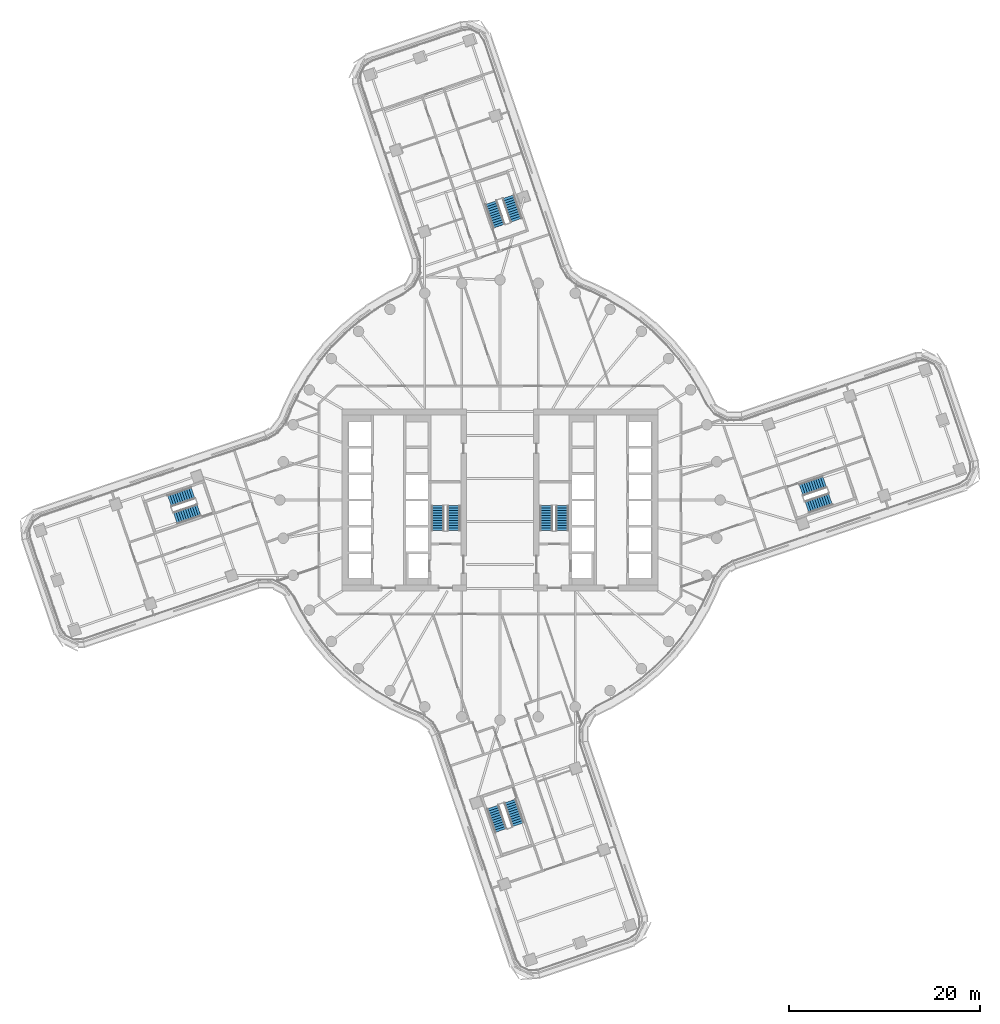
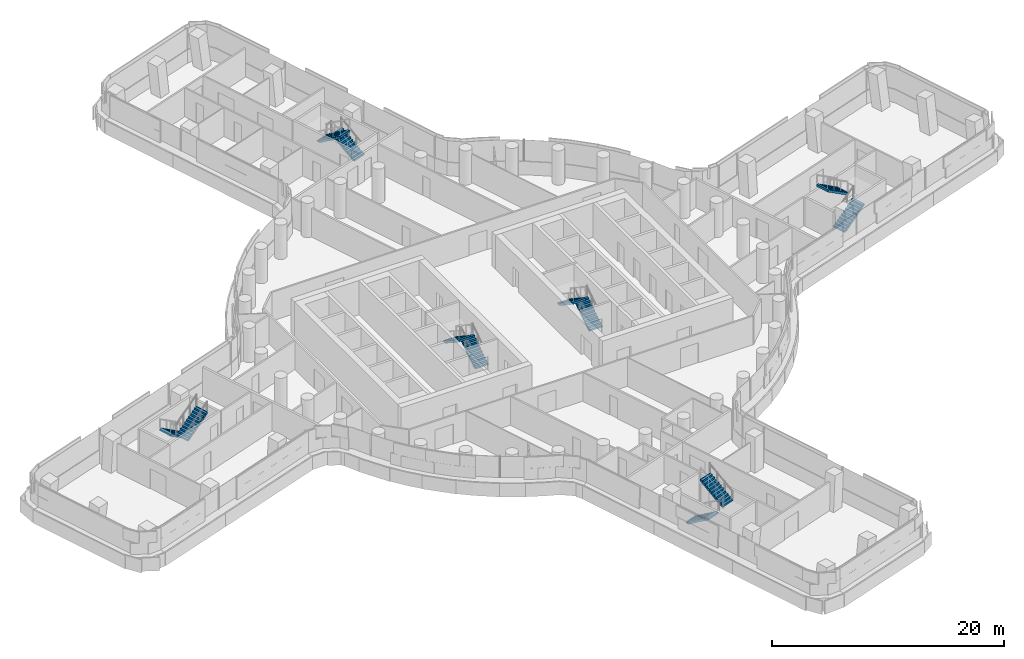
# One storey, part 22 of 29: 12 stair flights, 6 elements without a shape of their own.
"""IFC4 building model written with IfcOpenShell, lengths in metres."""

from ifc_helpers import new_model, si_unit, direction, frame, origin, place, context, subcontext, project, spatial, polyline, outline, extrude, material, type_object, element, aggregate, save


model = new_model("IFC4")

# Units and contexts
model_context = context("Model", 3, precision=1e-05, world=origin(), true_north=direction((0.0, 1.0)))
body_context = subcontext(model_context, "Body", "Model", "MODEL_VIEW")
ifc_project = project(units=[si_unit("LENGTHUNIT", "METRE"), si_unit("AREAUNIT", "SQUARE_METRE"), si_unit("VOLUMEUNIT", "CUBIC_METRE"), si_unit("PLANEANGLEUNIT", "RADIAN"), si_unit("MASSUNIT", "GRAM", prefix="KILO")], contexts=[model_context])

# Site, building, storey
site_placement = place(None, origin())
site = spatial("IfcSite", under=ifc_project, at=site_placement, CompositionType="ELEMENT")
building_placement = place(site_placement, origin())
building = spatial("IfcBuilding", under=site, at=building_placement, Name="Tamarind Cross Interchange Tower", CompositionType="ELEMENT")
storey_placement = place(building_placement, frame((0.0, 0.0, 102.25)))
storey = spatial("IfcBuildingStorey", under=building, at=storey_placement, Name="L24", CompositionType="ELEMENT", Elevation=102.25)

# Stair, stair flights
ifc_material_1 = material(Name="Exit stair")
stair_type = type_object("IfcStairType", Name="Exit stair", PredefinedType="HALF_TURN_STAIR", material=ifc_material_1)
stair_1_placement = place(storey_placement, origin())
stair_1 = element("IfcStair", 1, at=stair_1_placement, inside=storey, type_object=stair_type, Name="L24 exit stair ST1", PredefinedType="HALF_TURN_STAIR")
ifc_material_2 = material(Name="Exit stair flight")
stair_flight_type = type_object("IfcStairFlightType", Name="Exit stair flight", PredefinedType="STRAIGHT", material=ifc_material_2)
stair_flight_1_placement = place(storey_placement, frame((-4.85009765625, -3.199951171875, 0.0), z_axis=(0.0, 0.0, 1.0), x_axis=(0.0, 1.0, 0.0)))
stair_flight_1 = element("IfcStairFlight", 2, at=stair_flight_1_placement, type_object=stair_flight_type, Name="ST1 flight 1", NumberOfRisers=11, NumberOfTreads=10, PredefinedType="STRAIGHT", RiserHeight=0.170454545, TreadLength=0.26, context=body_context, shape_type="SweptSolid", body=[
    extrude(outline(polyline([(0.0, 0.0), (0.0, 0.17041015625), (0.260009765625, 0.17041015625), (0.260009765625, 0.3408203125), (0.52001953125, 0.3408203125), (0.52001953125, 0.511474609375), (0.780029296875, 0.511474609375), (0.780029296875, 0.681884765625), (1.0400390625, 0.681884765625), (1.0400390625, 0.852294921875), (1.300048828125, 0.852294921875), (1.300048828125, 1.022705078125), (1.56005859375, 1.022705078125), (1.56005859375, 1.193115234375), (1.820068359375, 1.193115234375), (1.820068359375, 1.363525390625), (2.080078125, 1.363525390625), (2.080078125, 1.5341796875), (2.340087890625, 1.5341796875), (2.340087890625, 1.70458984375), (2.60009765625, 1.70458984375), (2.60009765625, 1.875), (2.60009765625, 1.525390625), (0.2734375, 0.0), (0.0, 0.0)])), frame((0.0, 0.64990234375, 0.0), z_axis=(0.0, -1.0, 0.0), x_axis=(1.0, 0.0, 0.0)), (0.0, 0.0, 1.0), 1.300048828125),
])
stair_flight_2_placement = place(storey_placement, frame((-6.5, -0.60009765625, 1.875), z_axis=(0.0, 0.0, 1.0), x_axis=(0.0, -1.0, 0.0)))
stair_flight_2 = element("IfcStairFlight", 3, at=stair_flight_2_placement, type_object=stair_flight_type, Name="ST1 flight 2", NumberOfRisers=11, NumberOfTreads=10, PredefinedType="STRAIGHT", RiserHeight=0.170454545, TreadLength=0.26, context=body_context, shape_type="SweptSolid", body=[
    extrude(outline(polyline([(0.0, 0.0), (0.0, 0.17041015625), (0.260009765625, 0.17041015625), (0.260009765625, 0.3408203125), (0.52001953125, 0.3408203125), (0.52001953125, 0.511474609375), (0.780029296875, 0.511474609375), (0.780029296875, 0.681884765625), (1.0400390625, 0.681884765625), (1.0400390625, 0.852294921875), (1.300048828125, 0.852294921875), (1.300048828125, 1.022705078125), (1.56005859375, 1.022705078125), (1.56005859375, 1.193115234375), (1.820068359375, 1.193115234375), (1.820068359375, 1.363525390625), (2.080078125, 1.363525390625), (2.080078125, 1.5341796875), (2.340087890625, 1.5341796875), (2.340087890625, 1.70458984375), (2.60009765625, 1.70458984375), (2.60009765625, 1.7548828125), (2.612060546875, 1.7548828125), (2.612060546875, 1.533203125), (0.2734375, 0.0), (0.0, 0.0)])), frame((0.0, 0.64990234375, 0.0), z_axis=(0.0, -1.0, 0.0), x_axis=(1.0, 0.0, 0.0)), (0.0, 0.0, 1.0), 1.300048828125),
])
aggregate(stair_1, [stair_flight_1, stair_flight_2])

stair_2_placement = place(storey_placement, origin())
stair_2 = element("IfcStair", 4, at=stair_2_placement, inside=storey, type_object=stair_type, Name="L24 exit stair ST2", PredefinedType="HALF_TURN_STAIR")
stair_flight_3_placement = place(storey_placement, frame((6.5, -3.199951171875, 0.0), z_axis=(0.0, 0.0, 1.0), x_axis=(0.0, 1.0, 0.0)))
stair_flight_3 = element("IfcStairFlight", 5, at=stair_flight_3_placement, type_object=stair_flight_type, Name="ST2 flight 1", NumberOfRisers=11, NumberOfTreads=10, PredefinedType="STRAIGHT", RiserHeight=0.170454545, TreadLength=0.26, context=body_context, shape_type="SweptSolid", body=[
    extrude(outline(polyline([(0.0, 0.0), (0.0, 0.17041015625), (0.260009765625, 0.17041015625), (0.260009765625, 0.3408203125), (0.52001953125, 0.3408203125), (0.52001953125, 0.511474609375), (0.780029296875, 0.511474609375), (0.780029296875, 0.681884765625), (1.0400390625, 0.681884765625), (1.0400390625, 0.852294921875), (1.300048828125, 0.852294921875), (1.300048828125, 1.022705078125), (1.56005859375, 1.022705078125), (1.56005859375, 1.193115234375), (1.820068359375, 1.193115234375), (1.820068359375, 1.363525390625), (2.080078125, 1.363525390625), (2.080078125, 1.5341796875), (2.340087890625, 1.5341796875), (2.340087890625, 1.70458984375), (2.60009765625, 1.70458984375), (2.60009765625, 1.875), (2.60009765625, 1.525390625), (0.2734375, 0.0), (0.0, 0.0)])), frame((0.0, 0.64990234375, 0.0), z_axis=(0.0, -1.0, 0.0), x_axis=(1.0, 0.0, 0.0)), (0.0, 0.0, 1.0), 1.300048828125),
])
stair_flight_4_placement = place(storey_placement, frame((4.85009765625, -0.60009765625, 1.875), z_axis=(0.0, 0.0, 1.0), x_axis=(0.0, -1.0, 0.0)))
stair_flight_4 = element("IfcStairFlight", 6, at=stair_flight_4_placement, type_object=stair_flight_type, Name="ST2 flight 2", NumberOfRisers=11, NumberOfTreads=10, PredefinedType="STRAIGHT", RiserHeight=0.170454545, TreadLength=0.26, context=body_context, shape_type="SweptSolid", body=[
    extrude(outline(polyline([(0.0, 0.0), (0.0, 0.17041015625), (0.260009765625, 0.17041015625), (0.260009765625, 0.3408203125), (0.52001953125, 0.3408203125), (0.52001953125, 0.511474609375), (0.780029296875, 0.511474609375), (0.780029296875, 0.681884765625), (1.0400390625, 0.681884765625), (1.0400390625, 0.852294921875), (1.300048828125, 0.852294921875), (1.300048828125, 1.022705078125), (1.56005859375, 1.022705078125), (1.56005859375, 1.193115234375), (1.820068359375, 1.193115234375), (1.820068359375, 1.363525390625), (2.080078125, 1.363525390625), (2.080078125, 1.5341796875), (2.340087890625, 1.5341796875), (2.340087890625, 1.70458984375), (2.60009765625, 1.70458984375), (2.60009765625, 1.7548828125), (2.612060546875, 1.7548828125), (2.612060546875, 1.533203125), (0.2734375, 0.0), (0.0, 0.0)])), frame((0.0, 0.64990234375, 0.0), z_axis=(0.0, -1.0, 0.0), x_axis=(1.0, 0.0, 0.0)), (0.0, 0.0, 1.0), 1.300048828125),
])
aggregate(stair_2, [stair_flight_3, stair_flight_4])

stair_3_placement = place(storey_placement, origin())
stair_3 = element("IfcStair", 7, at=stair_3_placement, inside=storey, type_object=stair_type, Name="L24 exit stair ST3", PredefinedType="HALF_TURN_STAIR")
stair_flight_5_placement = place(storey_placement, frame((32.076904296875, -0.740966796875, 0.0), z_axis=(0.0, 0.0, 1.0), x_axis=(0.946613256786, 0.322371434957, 0.0)))
stair_flight_5 = element("IfcStairFlight", 8, at=stair_flight_5_placement, type_object=stair_flight_type, Name="ST3 flight 1", NumberOfRisers=11, NumberOfTreads=10, PredefinedType="STRAIGHT", RiserHeight=0.170454545, TreadLength=0.26, context=body_context, shape_type="SweptSolid", body=[
    extrude(outline(polyline([(0.0, 0.0), (0.0, 0.17041015625), (0.260009765625, 0.17041015625), (0.260009765625, 0.3408203125), (0.52001953125, 0.3408203125), (0.52001953125, 0.511474609375), (0.780029296875, 0.511474609375), (0.780029296875, 0.681884765625), (1.0400390625, 0.681884765625), (1.0400390625, 0.852294921875), (1.300048828125, 0.852294921875), (1.300048828125, 1.022705078125), (1.56005859375, 1.022705078125), (1.56005859375, 1.193115234375), (1.820068359375, 1.193115234375), (1.820068359375, 1.363525390625), (2.080078125, 1.363525390625), (2.080078125, 1.5341796875), (2.340087890625, 1.5341796875), (2.340087890625, 1.70458984375), (2.60009765625, 1.70458984375), (2.60009765625, 1.875), (2.60009765625, 1.525390625), (0.2734375, 0.0), (0.0, 0.0)])), frame((0.0, 0.64990234375, 0.0), z_axis=(0.0, -1.0, 0.0), x_axis=(1.0, 0.0, 0.0)), (0.0, 0.0, 1.0), 1.300048828125),
])
stair_flight_6_placement = place(storey_placement, frame((33.925537109375, 1.895751953125, 1.875), z_axis=(0.0, 0.0, 1.0), x_axis=(-0.946613256786, -0.322371434957, 0.0)))
stair_flight_6 = element("IfcStairFlight", 9, at=stair_flight_6_placement, type_object=stair_flight_type, Name="ST3 flight 2", NumberOfRisers=11, NumberOfTreads=10, PredefinedType="STRAIGHT", RiserHeight=0.170454545, TreadLength=0.26, context=body_context, shape_type="SweptSolid", body=[
    extrude(outline(polyline([(0.0, 0.0), (0.0, 0.17041015625), (0.260009765625, 0.17041015625), (0.260009765625, 0.3408203125), (0.52001953125, 0.3408203125), (0.52001953125, 0.511474609375), (0.780029296875, 0.511474609375), (0.780029296875, 0.681884765625), (1.0400390625, 0.681884765625), (1.0400390625, 0.852294921875), (1.300048828125, 0.852294921875), (1.300048828125, 1.022705078125), (1.56005859375, 1.022705078125), (1.56005859375, 1.193115234375), (1.820068359375, 1.193115234375), (1.820068359375, 1.363525390625), (2.080078125, 1.363525390625), (2.080078125, 1.5341796875), (2.340087890625, 1.5341796875), (2.340087890625, 1.70458984375), (2.60009765625, 1.70458984375), (2.60009765625, 1.7548828125), (2.612060546875, 1.7548828125), (2.612060546875, 1.533203125), (0.2734375, 0.0), (0.0, 0.0)])), frame((0.0, 0.64990234375, 0.0), z_axis=(0.0, -1.0, 0.0), x_axis=(1.0, 0.0, 0.0)), (0.0, 0.0, 1.0), 1.300048828125),
])
aggregate(stair_3, [stair_flight_5, stair_flight_6])

stair_4_placement = place(storey_placement, origin())
stair_4 = element("IfcStair", 10, at=stair_4_placement, inside=storey, type_object=stair_type, Name="L24 exit stair ST4", PredefinedType="HALF_TURN_STAIR")
stair_flight_7_placement = place(storey_placement, frame((1.708251953125, 29.237060546875, 0.0), z_axis=(0.0, 0.0, 1.0), x_axis=(-0.322371434957, 0.946613256786, 0.0)))
stair_flight_7 = element("IfcStairFlight", 11, at=stair_flight_7_placement, type_object=stair_flight_type, Name="ST4 flight 1", NumberOfRisers=11, NumberOfTreads=10, PredefinedType="STRAIGHT", RiserHeight=0.170454545, TreadLength=0.26, context=body_context, shape_type="SweptSolid", body=[
    extrude(outline(polyline([(0.0, 0.0), (0.0, 0.17041015625), (0.260009765625, 0.17041015625), (0.260009765625, 0.3408203125), (0.52001953125, 0.3408203125), (0.52001953125, 0.511474609375), (0.780029296875, 0.511474609375), (0.780029296875, 0.681884765625), (1.0400390625, 0.681884765625), (1.0400390625, 0.852294921875), (1.300048828125, 0.852294921875), (1.300048828125, 1.022705078125), (1.56005859375, 1.022705078125), (1.56005859375, 1.193115234375), (1.820068359375, 1.193115234375), (1.820068359375, 1.363525390625), (2.080078125, 1.363525390625), (2.080078125, 1.5341796875), (2.340087890625, 1.5341796875), (2.340087890625, 1.70458984375), (2.60009765625, 1.70458984375), (2.60009765625, 1.875), (2.60009765625, 1.525390625), (0.2734375, 0.0), (0.0, 0.0)])), frame((0.0, 0.64990234375, 0.0), z_axis=(0.0, -1.0, 0.0), x_axis=(1.0, 0.0, 0.0)), (0.0, 0.0, 1.0), 1.300048828125),
])
stair_flight_8_placement = place(storey_placement, frame((-0.928466796875, 31.085693359375, 1.875), z_axis=(0.0, 0.0, 1.0), x_axis=(0.322371434957, -0.946613256786, 0.0)))
stair_flight_8 = element("IfcStairFlight", 12, at=stair_flight_8_placement, type_object=stair_flight_type, Name="ST4 flight 2", NumberOfRisers=11, NumberOfTreads=10, PredefinedType="STRAIGHT", RiserHeight=0.170454545, TreadLength=0.26, context=body_context, shape_type="SweptSolid", body=[
    extrude(outline(polyline([(0.0, 0.0), (0.0, 0.17041015625), (0.260009765625, 0.17041015625), (0.260009765625, 0.3408203125), (0.52001953125, 0.3408203125), (0.52001953125, 0.511474609375), (0.780029296875, 0.511474609375), (0.780029296875, 0.681884765625), (1.0400390625, 0.681884765625), (1.0400390625, 0.852294921875), (1.300048828125, 0.852294921875), (1.300048828125, 1.022705078125), (1.56005859375, 1.022705078125), (1.56005859375, 1.193115234375), (1.820068359375, 1.193115234375), (1.820068359375, 1.363525390625), (2.080078125, 1.363525390625), (2.080078125, 1.5341796875), (2.340087890625, 1.5341796875), (2.340087890625, 1.70458984375), (2.60009765625, 1.70458984375), (2.60009765625, 1.7548828125), (2.612060546875, 1.7548828125), (2.612060546875, 1.533203125), (0.2734375, 0.0), (0.0, 0.0)])), frame((0.0, 0.64990234375, 0.0), z_axis=(0.0, -1.0, 0.0), x_axis=(1.0, 0.0, 0.0)), (0.0, 0.0, 1.0), 1.300048828125),
])
aggregate(stair_4, [stair_flight_7, stair_flight_8])

stair_5_placement = place(storey_placement, origin())
stair_5 = element("IfcStair", 13, at=stair_5_placement, inside=storey, type_object=stair_type, Name="L24 exit stair ST5", PredefinedType="HALF_TURN_STAIR")
stair_flight_9_placement = place(storey_placement, frame((-32.076904296875, 0.740966796875, 0.0), z_axis=(0.0, 0.0, 1.0), x_axis=(-0.946613256786, -0.322371434957, 0.0)))
stair_flight_9 = element("IfcStairFlight", 14, at=stair_flight_9_placement, type_object=stair_flight_type, Name="ST5 flight 1", NumberOfRisers=11, NumberOfTreads=10, PredefinedType="STRAIGHT", RiserHeight=0.170454545, TreadLength=0.26, context=body_context, shape_type="SweptSolid", body=[
    extrude(outline(polyline([(0.0, 0.0), (0.0, 0.17041015625), (0.260009765625, 0.17041015625), (0.260009765625, 0.3408203125), (0.52001953125, 0.3408203125), (0.52001953125, 0.511474609375), (0.780029296875, 0.511474609375), (0.780029296875, 0.681884765625), (1.0400390625, 0.681884765625), (1.0400390625, 0.852294921875), (1.300048828125, 0.852294921875), (1.300048828125, 1.022705078125), (1.56005859375, 1.022705078125), (1.56005859375, 1.193115234375), (1.820068359375, 1.193115234375), (1.820068359375, 1.363525390625), (2.080078125, 1.363525390625), (2.080078125, 1.5341796875), (2.340087890625, 1.5341796875), (2.340087890625, 1.70458984375), (2.60009765625, 1.70458984375), (2.60009765625, 1.875), (2.60009765625, 1.525390625), (0.2734375, 0.0), (0.0, 0.0)])), frame((0.0, 0.64990234375, 0.0), z_axis=(0.0, -1.0, 0.0), x_axis=(1.0, 0.0, 0.0)), (0.0, 0.0, 1.0), 1.300048828125),
])
stair_flight_10_placement = place(storey_placement, frame((-33.925537109375, -1.895751953125, 1.875), z_axis=(0.0, 0.0, 1.0), x_axis=(0.946613256786, 0.322371434957, 0.0)))
stair_flight_10 = element("IfcStairFlight", 15, at=stair_flight_10_placement, type_object=stair_flight_type, Name="ST5 flight 2", NumberOfRisers=11, NumberOfTreads=10, PredefinedType="STRAIGHT", RiserHeight=0.170454545, TreadLength=0.26, context=body_context, shape_type="SweptSolid", body=[
    extrude(outline(polyline([(0.0, 0.0), (0.0, 0.17041015625), (0.260009765625, 0.17041015625), (0.260009765625, 0.3408203125), (0.52001953125, 0.3408203125), (0.52001953125, 0.511474609375), (0.780029296875, 0.511474609375), (0.780029296875, 0.681884765625), (1.0400390625, 0.681884765625), (1.0400390625, 0.852294921875), (1.300048828125, 0.852294921875), (1.300048828125, 1.022705078125), (1.56005859375, 1.022705078125), (1.56005859375, 1.193115234375), (1.820068359375, 1.193115234375), (1.820068359375, 1.363525390625), (2.080078125, 1.363525390625), (2.080078125, 1.5341796875), (2.340087890625, 1.5341796875), (2.340087890625, 1.70458984375), (2.60009765625, 1.70458984375), (2.60009765625, 1.7548828125), (2.612060546875, 1.7548828125), (2.612060546875, 1.533203125), (0.2734375, 0.0), (0.0, 0.0)])), frame((0.0, 0.64990234375, 0.0), z_axis=(0.0, -1.0, 0.0), x_axis=(1.0, 0.0, 0.0)), (0.0, 0.0, 1.0), 1.300048828125),
])
aggregate(stair_5, [stair_flight_9, stair_flight_10])

stair_6_placement = place(storey_placement, origin())
stair_6 = element("IfcStair", 16, at=stair_6_placement, inside=storey, type_object=stair_type, Name="L24 exit stair ST6", PredefinedType="HALF_TURN_STAIR")
stair_flight_11_placement = place(storey_placement, frame((-0.740966796875, -32.076904296875, 0.0), z_axis=(0.0, 0.0, 1.0), x_axis=(0.322371434957, -0.946613256786, 0.0)))
stair_flight_11 = element("IfcStairFlight", 17, at=stair_flight_11_placement, type_object=stair_flight_type, Name="ST6 flight 1", NumberOfRisers=11, NumberOfTreads=10, PredefinedType="STRAIGHT", RiserHeight=0.170454545, TreadLength=0.26, context=body_context, shape_type="SweptSolid", body=[
    extrude(outline(polyline([(0.0, 0.0), (0.0, 0.17041015625), (0.260009765625, 0.17041015625), (0.260009765625, 0.3408203125), (0.52001953125, 0.3408203125), (0.52001953125, 0.511474609375), (0.780029296875, 0.511474609375), (0.780029296875, 0.681884765625), (1.0400390625, 0.681884765625), (1.0400390625, 0.852294921875), (1.300048828125, 0.852294921875), (1.300048828125, 1.022705078125), (1.56005859375, 1.022705078125), (1.56005859375, 1.193115234375), (1.820068359375, 1.193115234375), (1.820068359375, 1.363525390625), (2.080078125, 1.363525390625), (2.080078125, 1.5341796875), (2.340087890625, 1.5341796875), (2.340087890625, 1.70458984375), (2.60009765625, 1.70458984375), (2.60009765625, 1.875), (2.60009765625, 1.525390625), (0.2734375, 0.0), (0.0, 0.0)])), frame((0.0, 0.64990234375, 0.0), z_axis=(0.0, -1.0, 0.0), x_axis=(1.0, 0.0, 0.0)), (0.0, 0.0, 1.0), 1.300048828125),
])
stair_flight_12_placement = place(storey_placement, frame((1.895751953125, -33.925537109375, 1.875), z_axis=(0.0, 0.0, 1.0), x_axis=(-0.322371434957, 0.946613256786, 0.0)))
stair_flight_12 = element("IfcStairFlight", 18, at=stair_flight_12_placement, type_object=stair_flight_type, Name="ST6 flight 2", NumberOfRisers=11, NumberOfTreads=10, PredefinedType="STRAIGHT", RiserHeight=0.170454545, TreadLength=0.26, context=body_context, shape_type="SweptSolid", body=[
    extrude(outline(polyline([(0.0, 0.0), (0.0, 0.17041015625), (0.260009765625, 0.17041015625), (0.260009765625, 0.3408203125), (0.52001953125, 0.3408203125), (0.52001953125, 0.511474609375), (0.780029296875, 0.511474609375), (0.780029296875, 0.681884765625), (1.0400390625, 0.681884765625), (1.0400390625, 0.852294921875), (1.300048828125, 0.852294921875), (1.300048828125, 1.022705078125), (1.56005859375, 1.022705078125), (1.56005859375, 1.193115234375), (1.820068359375, 1.193115234375), (1.820068359375, 1.363525390625), (2.080078125, 1.363525390625), (2.080078125, 1.5341796875), (2.340087890625, 1.5341796875), (2.340087890625, 1.70458984375), (2.60009765625, 1.70458984375), (2.60009765625, 1.7548828125), (2.612060546875, 1.7548828125), (2.612060546875, 1.533203125), (0.2734375, 0.0), (0.0, 0.0)])), frame((0.0, 0.64990234375, 0.0), z_axis=(0.0, -1.0, 0.0), x_axis=(1.0, 0.0, 0.0)), (0.0, 0.0, 1.0), 1.300048828125),
])
aggregate(stair_6, [stair_flight_11, stair_flight_12])

save(model, "model.ifc")
